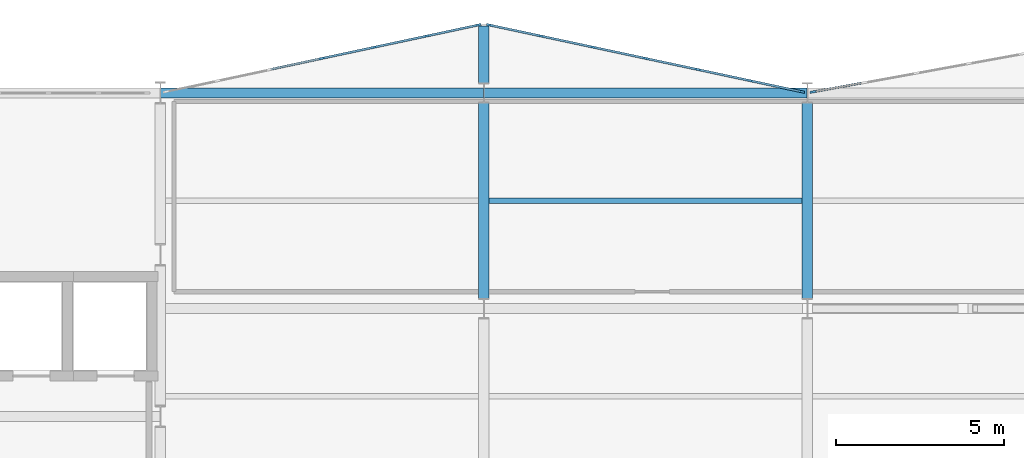
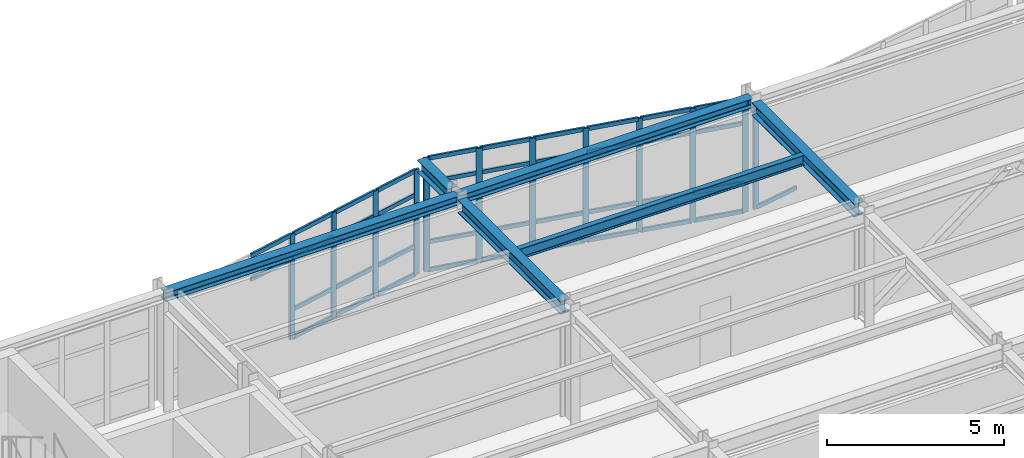
# One storey, part 48 of 99: 51 members, 6 beams, 3 elements without a shape of their own.
"""IFC4 building model written with IfcOpenShell, lengths in metres."""

from ifc_helpers import new_model, si_unit, direction, frame, origin, origin_2d, place, context, subcontext, project, spatial, rectangle, i_section, extrude, material, layer, layer_set, material_profile, profile_set, type_object, element, aggregate, save


model = new_model("IFC4")

# Units and contexts
model_context = context("Model", 3, precision=1e-05, world=origin(), true_north=direction((0.0, 1.0)))
body_context = subcontext(model_context, "Body", "Model", "MODEL_VIEW")
ifc_project = project(units=[si_unit("LENGTHUNIT", "METRE"), si_unit("AREAUNIT", "SQUARE_METRE"), si_unit("VOLUMEUNIT", "CUBIC_METRE"), si_unit("PLANEANGLEUNIT", "RADIAN"), si_unit("MASSUNIT", "GRAM", prefix="KILO")], contexts=[model_context])

# Site, building, storey
site_placement = place(None, origin())
site = spatial("IfcSite", under=ifc_project, at=site_placement, CompositionType="ELEMENT")
building_placement = place(site_placement, origin())
building = spatial("IfcBuilding", under=site, at=building_placement, Name="Nordkorset Police Headquarters", CompositionType="ELEMENT")
storey_placement = place(building_placement, frame((0.0, 0.0, 5.25)))
storey = spatial("IfcBuildingStorey", under=building, at=storey_placement, Name="L01", CompositionType="ELEMENT", Elevation=5.25)

# Beam
ifc_material_1 = material(Name="Steel S355J2", Category="steel")
ifc_material_profile_1 = material_profile(ifc_material_1, i_section(OverallWidth=0.169921875, OverallDepth=0.360107421875, WebThickness=0.008056640625, FlangeThickness=0.0126953125, FilletRadius=0.01806640625, at=origin_2d()), Name="IPE 360")
ifc_profile_set_1 = profile_set([ifc_material_profile_1], Name="Steel S355J2")
beam_type_1 = type_object("IfcBeamType", Name="Beam_IPE_360", PredefinedType="BEAM", material=ifc_profile_set_1)
beam_1_placement = place(storey_placement, frame((38.550048828125, 113.60009765625, 3.780029296875), z_axis=(1.0, 0.0, 0.0), x_axis=(0.0, 1.0, 0.0)))
element("IfcBeam", 1, at=beam_1_placement, inside=storey, type_object=beam_type_1, Name="Composite Floor Beam V2 L01 1-2-1", PredefinedType="BEAM", context=body_context, shape_type="SweptSolid", body=[
    extrude(i_section(OverallWidth=0.169921875, OverallDepth=0.360107421875, WebThickness=0.008056640625, FlangeThickness=0.0126953125, FilletRadius=0.01806640625, at=origin_2d()), origin(), (0.0, 0.0, 1.0), 9.300048828125),
])

# Curtain wall, members
ifc_material_2 = material(Name="Aluminium alloy AW-6060", Category="aluminium")
ifc_layer_1 = layer(ifc_material_2, 0.179931640625, Name="Aluminium alloy AW-6060")
ifc_layer_set_1 = layer_set([ifc_layer_1], Name="Aluminium alloy AW-6060")
curtain_wall_type_1 = type_object("IfcCurtainWallType", Name="CW_Unit_954x363", PredefinedType="USERDEFINED", material=ifc_layer_set_1)
curtain_wall_1_placement = place(storey_placement, origin())
curtain_wall_1 = element("IfcCurtainWall", 2, at=curtain_wall_1_placement, inside=storey, type_object=curtain_wall_type_1, Name="Unitised Curtain Wall L01 V2N-0", ObjectType="UNITISED CURTAIN WALL", PredefinedType="USERDEFINED")
ifc_material_3 = material(Name="Aluminium alloy AW-6060", Category="aluminium")
ifc_material_profile_2 = material_profile(ifc_material_3, rectangle(XDim=0.06494140625, YDim=0.179931640625, at=origin_2d()), Name="ALU MULL 65x180")
ifc_profile_set_2 = profile_set([ifc_material_profile_2], Name="Aluminium alloy AW-6060")
member_type_1 = type_object("IfcMemberType", Name="CW_Mullion_65x180", PredefinedType="MULLION", material=ifc_profile_set_2)
member_1_placement = place(storey_placement, frame((33.60009765625, 117.824951171875, 0.0), z_axis=(0.0, 0.0, 1.0), x_axis=(-0.208832534289, 0.977951416289, 0.0)))
member_1 = element("IfcMember", 3, at=member_1_placement, type_object=member_type_1, Name="CW-106 mullion 4", PredefinedType="MULLION", context=body_context, shape_type="SweptSolid", body=[
    extrude(rectangle(XDim=0.06494140625, YDim=0.179931640625, at=origin_2d()), origin(), (0.0, 0.0, 1.0), 3.6298828125),
])
member_2_placement = place(storey_placement, frame((35.154296875, 118.156982421875, 0.0), z_axis=(0.0, 0.0, 1.0), x_axis=(-0.208832534289, 0.977951416289, 0.0)))
member_2 = element("IfcMember", 4, at=member_2_placement, type_object=member_type_1, Name="CW-106 mullion 5", PredefinedType="MULLION", context=body_context, shape_type="SweptSolid", body=[
    extrude(rectangle(XDim=0.06494140625, YDim=0.179931640625, at=origin_2d()), origin(), (0.0, 0.0, 1.0), 3.6298828125),
])
member_3_placement = place(storey_placement, frame((36.708740234375, 118.48876953125, 0.0), z_axis=(0.0, 0.0, 1.0), x_axis=(-0.208832534289, 0.977951416289, 0.0)))
member_3 = element("IfcMember", 5, at=member_3_placement, type_object=member_type_1, Name="CW-106 mullion 6", PredefinedType="MULLION", context=body_context, shape_type="SweptSolid", body=[
    extrude(rectangle(XDim=0.06494140625, YDim=0.179931640625, at=origin_2d()), origin(), (0.0, 0.0, 1.0), 3.6298828125),
])
member_4_placement = place(storey_placement, frame((38.231201171875, 118.81396484375, 0.0), z_axis=(0.0, 0.0, 1.0), x_axis=(-0.208832534289, 0.977951416289, 0.0)))
member_4 = element("IfcMember", 6, at=member_4_placement, type_object=member_type_1, Name="CW-106 mullion 7", PredefinedType="MULLION", context=body_context, shape_type="SweptSolid", body=[
    extrude(rectangle(XDim=0.06494140625, YDim=0.179931640625, at=origin_2d()), origin(), (0.0, 0.0, 1.0), 3.6298828125),
])

ifc_material_4 = material(Name="Aluminium alloy AW-6060", Category="aluminium")
ifc_layer_2 = layer(ifc_material_4, 0.179931640625, Name="Aluminium alloy AW-6060")
ifc_layer_set_2 = layer_set([ifc_layer_2], Name="Aluminium alloy AW-6060")
curtain_wall_type_2 = type_object("IfcCurtainWallType", Name="CW_Unit_954x392", PredefinedType="USERDEFINED", material=ifc_layer_set_2)
curtain_wall_2_placement = place(storey_placement, origin())
curtain_wall_2 = element("IfcCurtainWall", 7, at=curtain_wall_2_placement, inside=storey, type_object=curtain_wall_type_2, Name="Unitised Curtain Wall L01 V2N-1", ObjectType="UNITISED CURTAIN WALL", PredefinedType="USERDEFINED")
member_5_placement = place(storey_placement, frame((38.568603515625, 118.81396484375, 0.0), z_axis=(0.0, 0.0, 1.0), x_axis=(0.208832534289, 0.977951416289, 0.0)))
member_5 = element("IfcMember", 8, at=member_5_placement, type_object=member_type_1, Name="CW-20 mullion 1", PredefinedType="MULLION", context=body_context, shape_type="SweptSolid", body=[
    extrude(rectangle(XDim=0.06494140625, YDim=0.179931640625, at=origin_2d()), origin(), (0.0, 0.0, 1.0), 3.919921875),
])
member_6_placement = place(storey_placement, frame((40.09130859375, 118.48876953125, 0.0), z_axis=(0.0, 0.0, 1.0), x_axis=(0.208832534289, 0.977951416289, 0.0)))
member_6 = element("IfcMember", 9, at=member_6_placement, type_object=member_type_1, Name="CW-20 mullion 2", PredefinedType="MULLION", context=body_context, shape_type="SweptSolid", body=[
    extrude(rectangle(XDim=0.06494140625, YDim=0.179931640625, at=origin_2d()), origin(), (0.0, 0.0, 1.0), 3.919921875),
])
member_7_placement = place(storey_placement, frame((41.645751953125, 118.156982421875, 0.0), z_axis=(0.0, 0.0, 1.0), x_axis=(0.208832534289, 0.977951416289, 0.0)))
member_7 = element("IfcMember", 10, at=member_7_placement, type_object=member_type_1, Name="CW-20 mullion 3", PredefinedType="MULLION", context=body_context, shape_type="SweptSolid", body=[
    extrude(rectangle(XDim=0.06494140625, YDim=0.179931640625, at=origin_2d()), origin(), (0.0, 0.0, 1.0), 3.919921875),
])
member_8_placement = place(storey_placement, frame((43.199951171875, 117.824951171875, 0.0), z_axis=(0.0, 0.0, 1.0), x_axis=(0.208832534289, 0.977951416289, 0.0)))
member_8 = element("IfcMember", 11, at=member_8_placement, type_object=member_type_1, Name="CW-20 mullion 4", PredefinedType="MULLION", context=body_context, shape_type="SweptSolid", body=[
    extrude(rectangle(XDim=0.06494140625, YDim=0.179931640625, at=origin_2d()), origin(), (0.0, 0.0, 1.0), 3.919921875),
])
member_9_placement = place(storey_placement, frame((44.75439453125, 117.4931640625, 0.0), z_axis=(0.0, 0.0, 1.0), x_axis=(0.208832534289, 0.977951416289, 0.0)))
member_9 = element("IfcMember", 12, at=member_9_placement, type_object=member_type_1, Name="CW-20 mullion 5", PredefinedType="MULLION", context=body_context, shape_type="SweptSolid", body=[
    extrude(rectangle(XDim=0.06494140625, YDim=0.179931640625, at=origin_2d()), origin(), (0.0, 0.0, 1.0), 3.919921875),
])
member_10_placement = place(storey_placement, frame((46.308837890625, 117.1611328125, 0.0), z_axis=(0.0, 0.0, 1.0), x_axis=(0.208832534289, 0.977951416289, 0.0)))
member_10 = element("IfcMember", 13, at=member_10_placement, type_object=member_type_1, Name="CW-20 mullion 6", PredefinedType="MULLION", context=body_context, shape_type="SweptSolid", body=[
    extrude(rectangle(XDim=0.06494140625, YDim=0.179931640625, at=origin_2d()), origin(), (0.0, 0.0, 1.0), 3.919921875),
])
member_11_placement = place(storey_placement, frame((47.831298828125, 116.8359375, 0.0), z_axis=(0.0, 0.0, 1.0), x_axis=(0.208832534289, 0.977951416289, 0.0)))
member_11 = element("IfcMember", 14, at=member_11_placement, type_object=member_type_1, Name="CW-20 mullion 7", PredefinedType="MULLION", context=body_context, shape_type="SweptSolid", body=[
    extrude(rectangle(XDim=0.06494140625, YDim=0.179931640625, at=origin_2d()), origin(), (0.0, 0.0, 1.0), 3.919921875),
])

# Curtain wall, member
ifc_material_5 = material(Name="Aluminium alloy AW-6060", Category="aluminium")
ifc_layer_3 = layer(ifc_material_5, 0.179931640625, Name="Aluminium alloy AW-6060")
ifc_layer_set_3 = layer_set([ifc_layer_3], Name="Aluminium alloy AW-6060")
curtain_wall_type_3 = type_object("IfcCurtainWallType", Name="CW_Unit_948x363", PredefinedType="USERDEFINED", material=ifc_layer_set_3)
curtain_wall_3_placement = place(storey_placement, origin())
curtain_wall_3 = element("IfcCurtainWall", 15, at=curtain_wall_3_placement, inside=storey, type_object=curtain_wall_type_3, Name="Unitised Curtain Wall L01 V2N-2", ObjectType="UNITISED CURTAIN WALL", PredefinedType="USERDEFINED")
member_12_placement = place(storey_placement, frame((48.169677734375, 116.8310546875, 0.0), z_axis=(0.0, 0.0, 1.0), x_axis=(-0.179335715876, 0.983787934979, 0.0)))
member_12 = element("IfcMember", 16, at=member_12_placement, type_object=member_type_1, Name="CW-69 mullion 1", PredefinedType="MULLION", context=body_context, shape_type="SweptSolid", body=[
    extrude(rectangle(XDim=0.06494140625, YDim=0.179931640625, at=origin_2d()), origin(), (0.0, 0.0, 1.0), 3.6298828125),
])

# Member
ifc_material_6 = material(Name="Aluminium alloy AW-6060", Category="aluminium")
ifc_material_profile_3 = material_profile(ifc_material_6, rectangle(XDim=0.06494140625, YDim=0.139892578125, at=origin_2d()), Name="ALU TRAN 65x140")
ifc_profile_set_3 = profile_set([ifc_material_profile_3], Name="Aluminium alloy AW-6060")
member_type_2 = type_object("IfcMemberType", Name="CW_Transom_65x140", PredefinedType="USERDEFINED", material=ifc_profile_set_3)
member_13_placement = place(storey_placement, frame((32.077392578125, 117.499755859375, 2.780029296875), z_axis=(0.977947496383, 0.208850890154, 0.0), x_axis=(-0.208850890154, 0.977947496383, 0.0)))
member_13 = element("IfcMember", 17, at=member_13_placement, type_object=member_type_2, Name="CW-106 transom 3.3", ObjectType="TRANSOM", PredefinedType="USERDEFINED", context=body_context, shape_type="SweptSolid", body=[
    extrude(rectangle(XDim=0.06494140625, YDim=0.139892578125, at=origin_2d()), origin(), (0.0, 0.0, 1.0), 1.5244140625),
])

member_14_placement = place(storey_placement, frame((32.077392578125, 117.499755859375, 3.597412109375), z_axis=(0.977947496383, 0.208850890154, 0.0), x_axis=(-0.208850890154, 0.977947496383, 0.0)))
member_14 = element("IfcMember", 18, at=member_14_placement, type_object=member_type_2, Name="CW-106 transom 3.4", ObjectType="TRANSOM", PredefinedType="USERDEFINED", context=body_context, shape_type="SweptSolid", body=[
    extrude(rectangle(XDim=0.06494140625, YDim=0.139892578125, at=origin_2d()), origin(), (0.0, 0.0, 1.0), 1.5244140625),
])

member_15_placement = place(storey_placement, frame((33.6318359375, 117.831787109375, 0.032470703125), z_axis=(0.977947496383, 0.208850890154, 0.0), x_axis=(-0.208850890154, 0.977947496383, 0.0)))
member_15 = element("IfcMember", 19, at=member_15_placement, type_object=member_type_2, Name="CW-106 transom 4.1", ObjectType="TRANSOM", PredefinedType="USERDEFINED", context=body_context, shape_type="SweptSolid", body=[
    extrude(rectangle(XDim=0.06494140625, YDim=0.139892578125, at=origin_2d()), origin(), (0.0, 0.0, 1.0), 1.5244140625),
])

member_16_placement = place(storey_placement, frame((33.6318359375, 117.831787109375, 1.0), z_axis=(0.977947496383, 0.208850890154, 0.0), x_axis=(-0.208850890154, 0.977947496383, 0.0)))
member_16 = element("IfcMember", 20, at=member_16_placement, type_object=member_type_2, Name="CW-106 transom 4.2", ObjectType="TRANSOM", PredefinedType="USERDEFINED", context=body_context, shape_type="SweptSolid", body=[
    extrude(rectangle(XDim=0.06494140625, YDim=0.139892578125, at=origin_2d()), origin(), (0.0, 0.0, 1.0), 1.5244140625),
])

member_17_placement = place(storey_placement, frame((33.6318359375, 117.831787109375, 2.780029296875), z_axis=(0.977947496383, 0.208850890154, 0.0), x_axis=(-0.208850890154, 0.977947496383, 0.0)))
member_17 = element("IfcMember", 21, at=member_17_placement, type_object=member_type_2, Name="CW-106 transom 4.3", ObjectType="TRANSOM", PredefinedType="USERDEFINED", context=body_context, shape_type="SweptSolid", body=[
    extrude(rectangle(XDim=0.06494140625, YDim=0.139892578125, at=origin_2d()), origin(), (0.0, 0.0, 1.0), 1.5244140625),
])

member_18_placement = place(storey_placement, frame((33.6318359375, 117.831787109375, 3.597412109375), z_axis=(0.977947496383, 0.208850890154, 0.0), x_axis=(-0.208850890154, 0.977947496383, 0.0)))
member_18 = element("IfcMember", 22, at=member_18_placement, type_object=member_type_2, Name="CW-106 transom 4.4", ObjectType="TRANSOM", PredefinedType="USERDEFINED", context=body_context, shape_type="SweptSolid", body=[
    extrude(rectangle(XDim=0.06494140625, YDim=0.139892578125, at=origin_2d()), origin(), (0.0, 0.0, 1.0), 1.5244140625),
])

member_19_placement = place(storey_placement, frame((35.18603515625, 118.163818359375, 0.032470703125), z_axis=(0.97798717214, 0.208665021336, 0.0), x_axis=(-0.208665021336, 0.97798717214, 0.0)))
member_19 = element("IfcMember", 23, at=member_19_placement, type_object=member_type_2, Name="CW-106 transom 5.1", ObjectType="TRANSOM", PredefinedType="USERDEFINED", context=body_context, shape_type="SweptSolid", body=[
    extrude(rectangle(XDim=0.06494140625, YDim=0.139892578125, at=origin_2d()), origin(), (0.0, 0.0, 1.0), 1.5244140625),
])

member_20_placement = place(storey_placement, frame((35.18603515625, 118.163818359375, 1.0), z_axis=(0.97798717214, 0.208665021336, 0.0), x_axis=(-0.208665021336, 0.97798717214, 0.0)))
member_20 = element("IfcMember", 24, at=member_20_placement, type_object=member_type_2, Name="CW-106 transom 5.2", ObjectType="TRANSOM", PredefinedType="USERDEFINED", context=body_context, shape_type="SweptSolid", body=[
    extrude(rectangle(XDim=0.06494140625, YDim=0.139892578125, at=origin_2d()), origin(), (0.0, 0.0, 1.0), 1.5244140625),
])

member_21_placement = place(storey_placement, frame((35.18603515625, 118.163818359375, 2.780029296875), z_axis=(0.97798717214, 0.208665021336, 0.0), x_axis=(-0.208665021336, 0.97798717214, 0.0)))
member_21 = element("IfcMember", 25, at=member_21_placement, type_object=member_type_2, Name="CW-106 transom 5.3", ObjectType="TRANSOM", PredefinedType="USERDEFINED", context=body_context, shape_type="SweptSolid", body=[
    extrude(rectangle(XDim=0.06494140625, YDim=0.139892578125, at=origin_2d()), origin(), (0.0, 0.0, 1.0), 1.5244140625),
])

member_22_placement = place(storey_placement, frame((35.18603515625, 118.163818359375, 3.597412109375), z_axis=(0.97798717214, 0.208665021336, 0.0), x_axis=(-0.208665021336, 0.97798717214, 0.0)))
member_22 = element("IfcMember", 26, at=member_22_placement, type_object=member_type_2, Name="CW-106 transom 5.4", ObjectType="TRANSOM", PredefinedType="USERDEFINED", context=body_context, shape_type="SweptSolid", body=[
    extrude(rectangle(XDim=0.06494140625, YDim=0.139892578125, at=origin_2d()), origin(), (0.0, 0.0, 1.0), 1.5244140625),
])

member_23_placement = place(storey_placement, frame((36.740478515625, 118.49560546875, 0.032470703125), z_axis=(0.977955422008, 0.208813774846, 0.0), x_axis=(-0.208813774846, 0.977955422008, 0.0)))
member_23 = element("IfcMember", 27, at=member_23_placement, type_object=member_type_2, Name="CW-106 transom 6.1", ObjectType="TRANSOM", PredefinedType="USERDEFINED", context=body_context, shape_type="SweptSolid", body=[
    extrude(rectangle(XDim=0.06494140625, YDim=0.139892578125, at=origin_2d()), origin(), (0.0, 0.0, 1.0), 1.491943359375),
])

member_24_placement = place(storey_placement, frame((36.740478515625, 118.49560546875, 1.0), z_axis=(0.977955422008, 0.208813774846, 0.0), x_axis=(-0.208813774846, 0.977955422008, 0.0)))
member_24 = element("IfcMember", 28, at=member_24_placement, type_object=member_type_2, Name="CW-106 transom 6.2", ObjectType="TRANSOM", PredefinedType="USERDEFINED", context=body_context, shape_type="SweptSolid", body=[
    extrude(rectangle(XDim=0.06494140625, YDim=0.139892578125, at=origin_2d()), origin(), (0.0, 0.0, 1.0), 1.491943359375),
])

member_25_placement = place(storey_placement, frame((36.740478515625, 118.49560546875, 2.780029296875), z_axis=(0.977955422008, 0.208813774846, 0.0), x_axis=(-0.208813774846, 0.977955422008, 0.0)))
member_25 = element("IfcMember", 29, at=member_25_placement, type_object=member_type_2, Name="CW-106 transom 6.3", ObjectType="TRANSOM", PredefinedType="USERDEFINED", context=body_context, shape_type="SweptSolid", body=[
    extrude(rectangle(XDim=0.06494140625, YDim=0.139892578125, at=origin_2d()), origin(), (0.0, 0.0, 1.0), 1.491943359375),
])

member_26_placement = place(storey_placement, frame((36.740478515625, 118.49560546875, 3.597412109375), z_axis=(0.977955422008, 0.208813774846, 0.0), x_axis=(-0.208813774846, 0.977955422008, 0.0)))
member_26 = element("IfcMember", 30, at=member_26_placement, type_object=member_type_2, Name="CW-106 transom 6.4", ObjectType="TRANSOM", PredefinedType="USERDEFINED", context=body_context, shape_type="SweptSolid", body=[
    extrude(rectangle(XDim=0.06494140625, YDim=0.139892578125, at=origin_2d()), origin(), (0.0, 0.0, 1.0), 1.491943359375),
])

aggregate(curtain_wall_1, [member_1, member_2, member_3, member_4, member_13, member_14, member_15, member_16, member_17, member_18, member_19, member_20, member_21, member_22, member_23, member_24, member_25, member_26])

member_27_placement = place(storey_placement, frame((38.6005859375, 118.80712890625, 0.032470703125), z_axis=(0.977955422008, -0.208813774846, 0.0), x_axis=(0.208813774846, 0.977955422008, 0.0)))
member_27 = element("IfcMember", 31, at=member_27_placement, type_object=member_type_2, Name="CW-20 transom 1.1", ObjectType="TRANSOM", PredefinedType="USERDEFINED", context=body_context, shape_type="SweptSolid", body=[
    extrude(rectangle(XDim=0.06494140625, YDim=0.139892578125, at=origin_2d()), origin(), (0.0, 0.0, 1.0), 1.491943359375),
])

member_28_placement = place(storey_placement, frame((38.6005859375, 118.80712890625, 1.0), z_axis=(0.977955422008, -0.208813774846, 0.0), x_axis=(0.208813774846, 0.977955422008, 0.0)))
member_28 = element("IfcMember", 32, at=member_28_placement, type_object=member_type_2, Name="CW-20 transom 1.2", ObjectType="TRANSOM", PredefinedType="USERDEFINED", context=body_context, shape_type="SweptSolid", body=[
    extrude(rectangle(XDim=0.06494140625, YDim=0.139892578125, at=origin_2d()), origin(), (0.0, 0.0, 1.0), 1.491943359375),
])

member_29_placement = place(storey_placement, frame((38.6005859375, 118.80712890625, 3.070068359375), z_axis=(0.977955422008, -0.208813774846, 0.0), x_axis=(0.208813774846, 0.977955422008, 0.0)))
member_29 = element("IfcMember", 33, at=member_29_placement, type_object=member_type_2, Name="CW-20 transom 1.3", ObjectType="TRANSOM", PredefinedType="USERDEFINED", context=body_context, shape_type="SweptSolid", body=[
    extrude(rectangle(XDim=0.06494140625, YDim=0.139892578125, at=origin_2d()), origin(), (0.0, 0.0, 1.0), 1.491943359375),
])

member_30_placement = place(storey_placement, frame((38.6005859375, 118.80712890625, 3.887451171875), z_axis=(0.977955422008, -0.208813774846, 0.0), x_axis=(0.208813774846, 0.977955422008, 0.0)))
member_30 = element("IfcMember", 34, at=member_30_placement, type_object=member_type_2, Name="CW-20 transom 1.4", ObjectType="TRANSOM", PredefinedType="USERDEFINED", context=body_context, shape_type="SweptSolid", body=[
    extrude(rectangle(XDim=0.06494140625, YDim=0.139892578125, at=origin_2d()), origin(), (0.0, 0.0, 1.0), 1.491943359375),
])

member_31_placement = place(storey_placement, frame((40.123046875, 118.48193359375, 0.032470703125), z_axis=(0.977980197745, -0.20869770679, 0.0), x_axis=(0.20869770679, 0.977980197745, 0.0)))
member_31 = element("IfcMember", 35, at=member_31_placement, type_object=member_type_2, Name="CW-20 transom 2.1", ObjectType="TRANSOM", PredefinedType="USERDEFINED", context=body_context, shape_type="SweptSolid", body=[
    extrude(rectangle(XDim=0.06494140625, YDim=0.139892578125, at=origin_2d()), origin(), (0.0, 0.0, 1.0), 1.524169921875),
])

member_32_placement = place(storey_placement, frame((40.123046875, 118.48193359375, 1.0), z_axis=(0.977980197745, -0.20869770679, 0.0), x_axis=(0.20869770679, 0.977980197745, 0.0)))
member_32 = element("IfcMember", 36, at=member_32_placement, type_object=member_type_2, Name="CW-20 transom 2.2", ObjectType="TRANSOM", PredefinedType="USERDEFINED", context=body_context, shape_type="SweptSolid", body=[
    extrude(rectangle(XDim=0.06494140625, YDim=0.139892578125, at=origin_2d()), origin(), (0.0, 0.0, 1.0), 1.524169921875),
])

member_33_placement = place(storey_placement, frame((40.123046875, 118.48193359375, 3.070068359375), z_axis=(0.977980197745, -0.20869770679, 0.0), x_axis=(0.20869770679, 0.977980197745, 0.0)))
member_33 = element("IfcMember", 37, at=member_33_placement, type_object=member_type_2, Name="CW-20 transom 2.3", ObjectType="TRANSOM", PredefinedType="USERDEFINED", context=body_context, shape_type="SweptSolid", body=[
    extrude(rectangle(XDim=0.06494140625, YDim=0.139892578125, at=origin_2d()), origin(), (0.0, 0.0, 1.0), 1.524169921875),
])

member_34_placement = place(storey_placement, frame((40.123046875, 118.48193359375, 3.887451171875), z_axis=(0.977980197745, -0.20869770679, 0.0), x_axis=(0.20869770679, 0.977980197745, 0.0)))
member_34 = element("IfcMember", 38, at=member_34_placement, type_object=member_type_2, Name="CW-20 transom 2.4", ObjectType="TRANSOM", PredefinedType="USERDEFINED", context=body_context, shape_type="SweptSolid", body=[
    extrude(rectangle(XDim=0.06494140625, YDim=0.139892578125, at=origin_2d()), origin(), (0.0, 0.0, 1.0), 1.524169921875),
])

member_35_placement = place(storey_placement, frame((41.677490234375, 118.150146484375, 0.032470703125), z_axis=(0.977947496383, -0.208850890154, 0.0), x_axis=(0.208850890154, 0.977947496383, 0.0)))
member_35 = element("IfcMember", 39, at=member_35_placement, type_object=member_type_2, Name="CW-20 transom 3.1", ObjectType="TRANSOM", PredefinedType="USERDEFINED", context=body_context, shape_type="SweptSolid", body=[
    extrude(rectangle(XDim=0.06494140625, YDim=0.139892578125, at=origin_2d()), origin(), (0.0, 0.0, 1.0), 1.5244140625),
])

member_36_placement = place(storey_placement, frame((41.677490234375, 118.150146484375, 1.0), z_axis=(0.977947496383, -0.208850890154, 0.0), x_axis=(0.208850890154, 0.977947496383, 0.0)))
member_36 = element("IfcMember", 40, at=member_36_placement, type_object=member_type_2, Name="CW-20 transom 3.2", ObjectType="TRANSOM", PredefinedType="USERDEFINED", context=body_context, shape_type="SweptSolid", body=[
    extrude(rectangle(XDim=0.06494140625, YDim=0.139892578125, at=origin_2d()), origin(), (0.0, 0.0, 1.0), 1.5244140625),
])

member_37_placement = place(storey_placement, frame((41.677490234375, 118.150146484375, 3.070068359375), z_axis=(0.977947496383, -0.208850890154, 0.0), x_axis=(0.208850890154, 0.977947496383, 0.0)))
member_37 = element("IfcMember", 41, at=member_37_placement, type_object=member_type_2, Name="CW-20 transom 3.3", ObjectType="TRANSOM", PredefinedType="USERDEFINED", context=body_context, shape_type="SweptSolid", body=[
    extrude(rectangle(XDim=0.06494140625, YDim=0.139892578125, at=origin_2d()), origin(), (0.0, 0.0, 1.0), 1.5244140625),
])

member_38_placement = place(storey_placement, frame((41.677490234375, 118.150146484375, 3.887451171875), z_axis=(0.977947496383, -0.208850890154, 0.0), x_axis=(0.208850890154, 0.977947496383, 0.0)))
member_38 = element("IfcMember", 42, at=member_38_placement, type_object=member_type_2, Name="CW-20 transom 3.4", ObjectType="TRANSOM", PredefinedType="USERDEFINED", context=body_context, shape_type="SweptSolid", body=[
    extrude(rectangle(XDim=0.06494140625, YDim=0.139892578125, at=origin_2d()), origin(), (0.0, 0.0, 1.0), 1.5244140625),
])

member_39_placement = place(storey_placement, frame((43.231689453125, 117.818115234375, 0.032470703125), z_axis=(0.977954480787, -0.208818182896, 0.0), x_axis=(0.208818182896, 0.977954480787, 0.0)))
member_39 = element("IfcMember", 43, at=member_39_placement, type_object=member_type_2, Name="CW-20 transom 4.1", ObjectType="TRANSOM", PredefinedType="USERDEFINED", context=body_context, shape_type="SweptSolid", body=[
    extrude(rectangle(XDim=0.06494140625, YDim=0.139892578125, at=origin_2d()), origin(), (0.0, 0.0, 1.0), 1.524658203125),
])

member_40_placement = place(storey_placement, frame((43.231689453125, 117.818115234375, 1.0), z_axis=(0.977954480787, -0.208818182896, 0.0), x_axis=(0.208818182896, 0.977954480787, 0.0)))
member_40 = element("IfcMember", 44, at=member_40_placement, type_object=member_type_2, Name="CW-20 transom 4.2", ObjectType="TRANSOM", PredefinedType="USERDEFINED", context=body_context, shape_type="SweptSolid", body=[
    extrude(rectangle(XDim=0.06494140625, YDim=0.139892578125, at=origin_2d()), origin(), (0.0, 0.0, 1.0), 1.524658203125),
])

member_41_placement = place(storey_placement, frame((43.231689453125, 117.818115234375, 3.070068359375), z_axis=(0.977954480787, -0.208818182896, 0.0), x_axis=(0.208818182896, 0.977954480787, 0.0)))
member_41 = element("IfcMember", 45, at=member_41_placement, type_object=member_type_2, Name="CW-20 transom 4.3", ObjectType="TRANSOM", PredefinedType="USERDEFINED", context=body_context, shape_type="SweptSolid", body=[
    extrude(rectangle(XDim=0.06494140625, YDim=0.139892578125, at=origin_2d()), origin(), (0.0, 0.0, 1.0), 1.524658203125),
])

member_42_placement = place(storey_placement, frame((43.231689453125, 117.818115234375, 3.887451171875), z_axis=(0.977954480787, -0.208818182896, 0.0), x_axis=(0.208818182896, 0.977954480787, 0.0)))
member_42 = element("IfcMember", 46, at=member_42_placement, type_object=member_type_2, Name="CW-20 transom 4.4", ObjectType="TRANSOM", PredefinedType="USERDEFINED", context=body_context, shape_type="SweptSolid", body=[
    extrude(rectangle(XDim=0.06494140625, YDim=0.139892578125, at=origin_2d()), origin(), (0.0, 0.0, 1.0), 1.524658203125),
])

member_43_placement = place(storey_placement, frame((44.7861328125, 117.486328125, 0.032470703125), z_axis=(0.977947496383, -0.208850890154, 0.0), x_axis=(0.208850890154, 0.977947496383, 0.0)))
member_43 = element("IfcMember", 47, at=member_43_placement, type_object=member_type_2, Name="CW-20 transom 5.1", ObjectType="TRANSOM", PredefinedType="USERDEFINED", context=body_context, shape_type="SweptSolid", body=[
    extrude(rectangle(XDim=0.06494140625, YDim=0.139892578125, at=origin_2d()), origin(), (0.0, 0.0, 1.0), 1.5244140625),
])

member_44_placement = place(storey_placement, frame((44.7861328125, 117.486328125, 1.0), z_axis=(0.977947496383, -0.208850890154, 0.0), x_axis=(0.208850890154, 0.977947496383, 0.0)))
member_44 = element("IfcMember", 48, at=member_44_placement, type_object=member_type_2, Name="CW-20 transom 5.2", ObjectType="TRANSOM", PredefinedType="USERDEFINED", context=body_context, shape_type="SweptSolid", body=[
    extrude(rectangle(XDim=0.06494140625, YDim=0.139892578125, at=origin_2d()), origin(), (0.0, 0.0, 1.0), 1.5244140625),
])

member_45_placement = place(storey_placement, frame((44.7861328125, 117.486328125, 3.070068359375), z_axis=(0.977947496383, -0.208850890154, 0.0), x_axis=(0.208850890154, 0.977947496383, 0.0)))
member_45 = element("IfcMember", 49, at=member_45_placement, type_object=member_type_2, Name="CW-20 transom 5.3", ObjectType="TRANSOM", PredefinedType="USERDEFINED", context=body_context, shape_type="SweptSolid", body=[
    extrude(rectangle(XDim=0.06494140625, YDim=0.139892578125, at=origin_2d()), origin(), (0.0, 0.0, 1.0), 1.5244140625),
])

member_46_placement = place(storey_placement, frame((44.7861328125, 117.486328125, 3.887451171875), z_axis=(0.977947496383, -0.208850890154, 0.0), x_axis=(0.208850890154, 0.977947496383, 0.0)))
member_46 = element("IfcMember", 50, at=member_46_placement, type_object=member_type_2, Name="CW-20 transom 5.4", ObjectType="TRANSOM", PredefinedType="USERDEFINED", context=body_context, shape_type="SweptSolid", body=[
    extrude(rectangle(XDim=0.06494140625, YDim=0.139892578125, at=origin_2d()), origin(), (0.0, 0.0, 1.0), 1.5244140625),
])

member_47_placement = place(storey_placement, frame((46.340576171875, 117.154296875, 0.032470703125), z_axis=(0.977955422008, -0.208813774846, 0.0), x_axis=(0.208813774846, 0.977955422008, 0.0)))
member_47 = element("IfcMember", 51, at=member_47_placement, type_object=member_type_2, Name="CW-20 transom 6.1", ObjectType="TRANSOM", PredefinedType="USERDEFINED", context=body_context, shape_type="SweptSolid", body=[
    extrude(rectangle(XDim=0.06494140625, YDim=0.139892578125, at=origin_2d()), origin(), (0.0, 0.0, 1.0), 1.491943359375),
])

member_48_placement = place(storey_placement, frame((46.340576171875, 117.154296875, 1.0), z_axis=(0.977955422008, -0.208813774846, 0.0), x_axis=(0.208813774846, 0.977955422008, 0.0)))
member_48 = element("IfcMember", 52, at=member_48_placement, type_object=member_type_2, Name="CW-20 transom 6.2", ObjectType="TRANSOM", PredefinedType="USERDEFINED", context=body_context, shape_type="SweptSolid", body=[
    extrude(rectangle(XDim=0.06494140625, YDim=0.139892578125, at=origin_2d()), origin(), (0.0, 0.0, 1.0), 1.491943359375),
])

member_49_placement = place(storey_placement, frame((46.340576171875, 117.154296875, 3.070068359375), z_axis=(0.977955422008, -0.208813774846, 0.0), x_axis=(0.208813774846, 0.977955422008, 0.0)))
member_49 = element("IfcMember", 53, at=member_49_placement, type_object=member_type_2, Name="CW-20 transom 6.3", ObjectType="TRANSOM", PredefinedType="USERDEFINED", context=body_context, shape_type="SweptSolid", body=[
    extrude(rectangle(XDim=0.06494140625, YDim=0.139892578125, at=origin_2d()), origin(), (0.0, 0.0, 1.0), 1.491943359375),
])

member_50_placement = place(storey_placement, frame((46.340576171875, 117.154296875, 3.887451171875), z_axis=(0.977955422008, -0.208813774846, 0.0), x_axis=(0.208813774846, 0.977955422008, 0.0)))
member_50 = element("IfcMember", 54, at=member_50_placement, type_object=member_type_2, Name="CW-20 transom 6.4", ObjectType="TRANSOM", PredefinedType="USERDEFINED", context=body_context, shape_type="SweptSolid", body=[
    extrude(rectangle(XDim=0.06494140625, YDim=0.139892578125, at=origin_2d()), origin(), (0.0, 0.0, 1.0), 1.491943359375),
])

aggregate(curtain_wall_2, [member_5, member_6, member_7, member_8, member_9, member_10, member_11, member_27, member_28, member_29, member_30, member_31, member_32, member_33, member_34, member_35, member_36, member_37, member_38, member_39, member_40, member_41, member_42, member_43, member_44, member_45, member_46, member_47, member_48, member_49, member_50])

member_51_placement = place(storey_placement, frame((48.20166015625, 116.836669921875, 0.032470703125), z_axis=(0.98378282961, 0.179363720316, 0.0), x_axis=(-0.179363720316, 0.98378282961, 0.0)))
member_51 = element("IfcMember", 55, at=member_51_placement, type_object=member_type_2, Name="CW-69 transom 1.1", ObjectType="TRANSOM", PredefinedType="USERDEFINED", context=body_context, shape_type="SweptSolid", body=[
    extrude(rectangle(XDim=0.06494140625, YDim=0.139892578125, at=origin_2d()), origin(), (0.0, 0.0, 1.0), 1.482177734375),
])

aggregate(curtain_wall_3, [member_12, member_51])

# Beams
ifc_material_7 = material(Name="Steel S355J2", Category="steel")
ifc_material_profile_4 = material_profile(ifc_material_7, i_section(OverallWidth=0.300048828125, OverallDepth=0.43994140625, WebThickness=0.011474609375, FlangeThickness=0.02099609375, FilletRadius=0.027099609375, at=origin_2d()), Name="HEA 450")
ifc_profile_set_4 = profile_set([ifc_material_profile_4], Name="Steel S355J2")
beam_type_2 = type_object("IfcBeamType", Name="Girder_HEA_450", PredefinedType="USERDEFINED", material=ifc_profile_set_4)
for number, where, z_axis, x_axis, name in (
    (56, (38.39990234375, 110.699951171875, 3.739990234375), (0.0, 1.0, 0.0), (-1.0, 0.0, 0.0), "Girder V2 L01 GY-1-2"),
    (57, (48.0, 110.699951171875, 3.739990234375), (0.0, 1.0, 0.0), (-1.0, 0.0, 0.0), "Girder V2 L01 GY-2-2"),
):
    element("IfcBeam", number, at=place(storey_placement, frame(where, z_axis=z_axis, x_axis=x_axis)), inside=storey, type_object=beam_type_2, Name=name, ObjectType="GIRDER", PredefinedType="USERDEFINED", context=body_context, shape_type="SweptSolid", body=[
        extrude(i_section(OverallWidth=0.300048828125, OverallDepth=0.43994140625, WebThickness=0.011474609375, FlangeThickness=0.02099609375, FilletRadius=0.027099609375, at=origin_2d()), origin(), (0.0, 0.0, 1.0), 5.800048828125),
    ])
beam_2_placement = place(storey_placement, frame((38.39990234375, 117.10009765625, 3.739990234375), z_axis=(0.0, 1.0, 0.0), x_axis=(-1.0, 0.0, 0.0)))
element("IfcBeam", 58, at=beam_2_placement, inside=storey, type_object=beam_type_2, Name="Sawtooth Facade Outrigger V2 L01 38", ObjectType="GIRDER", PredefinedType="USERDEFINED", context=body_context, shape_type="SweptSolid", body=[
    extrude(i_section(OverallWidth=0.300048828125, OverallDepth=0.43994140625, WebThickness=0.011474609375, FlangeThickness=0.02099609375, FilletRadius=0.027099609375, at=origin_2d()), origin(), (0.0, 0.0, 1.0), 1.68994140625),
])
ifc_material_8 = material(Name="Steel S355J2", Category="steel")
ifc_material_profile_5 = material_profile(ifc_material_8, i_section(OverallWidth=0.300048828125, OverallDepth=0.31005859375, WebThickness=0.009033203125, FlangeThickness=0.015380859375, FilletRadius=0.027099609375, at=origin_2d()), Name="HEA 320")
ifc_profile_set_5 = profile_set([ifc_material_profile_5], Name="Steel S355J2")
beam_type_3 = type_object("IfcBeamType", Name="Spandrel_HEA_320", PredefinedType="SPANDREL", material=ifc_profile_set_5)
beam_3_placement = place(storey_placement, frame((28.80810546875, 116.800048828125, 3.804931640625), z_axis=(1.0, 0.0, 0.0), x_axis=(0.0, 1.0, 0.0)))
element("IfcBeam", 59, at=beam_3_placement, inside=storey, type_object=beam_type_3, Name="Girder V2 L01 GX-3-0", PredefinedType="SPANDREL", context=body_context, shape_type="SweptSolid", body=[
    extrude(i_section(OverallWidth=0.300048828125, OverallDepth=0.31005859375, WebThickness=0.009033203125, FlangeThickness=0.015380859375, FilletRadius=0.027099609375, at=origin_2d()), origin(), (0.0, 0.0, 1.0), 9.584228515625),
])
beam_4_placement = place(storey_placement, frame((38.40771484375, 116.800048828125, 3.804931640625), z_axis=(1.0, 0.0, 0.0), x_axis=(0.0, 1.0, 0.0)))
element("IfcBeam", 60, at=beam_4_placement, inside=storey, type_object=beam_type_3, Name="Girder V2 L01 GX-3-1", PredefinedType="SPANDREL", context=body_context, shape_type="SweptSolid", body=[
    extrude(i_section(OverallWidth=0.300048828125, OverallDepth=0.31005859375, WebThickness=0.009033203125, FlangeThickness=0.015380859375, FilletRadius=0.027099609375, at=origin_2d()), origin(), (0.0, 0.0, 1.0), 9.58447265625),
])

save(model, "model.ifc")
